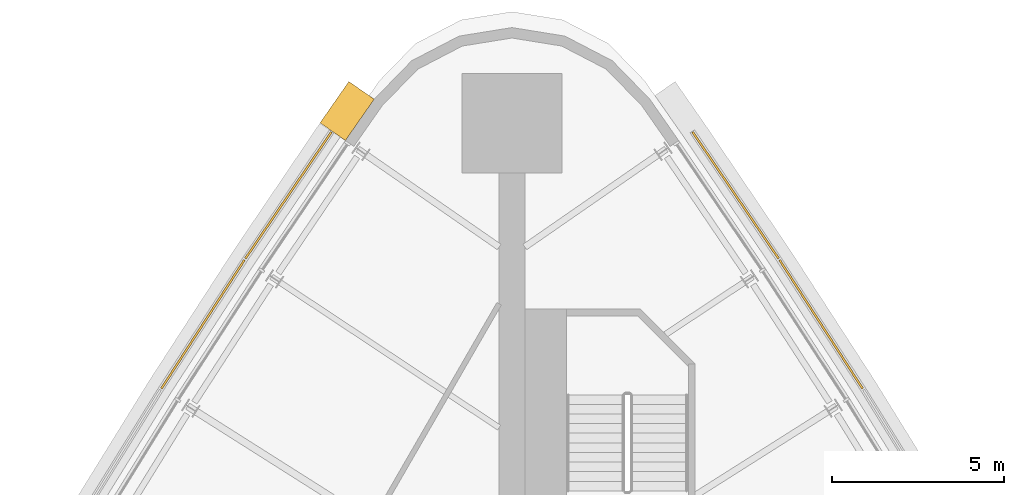
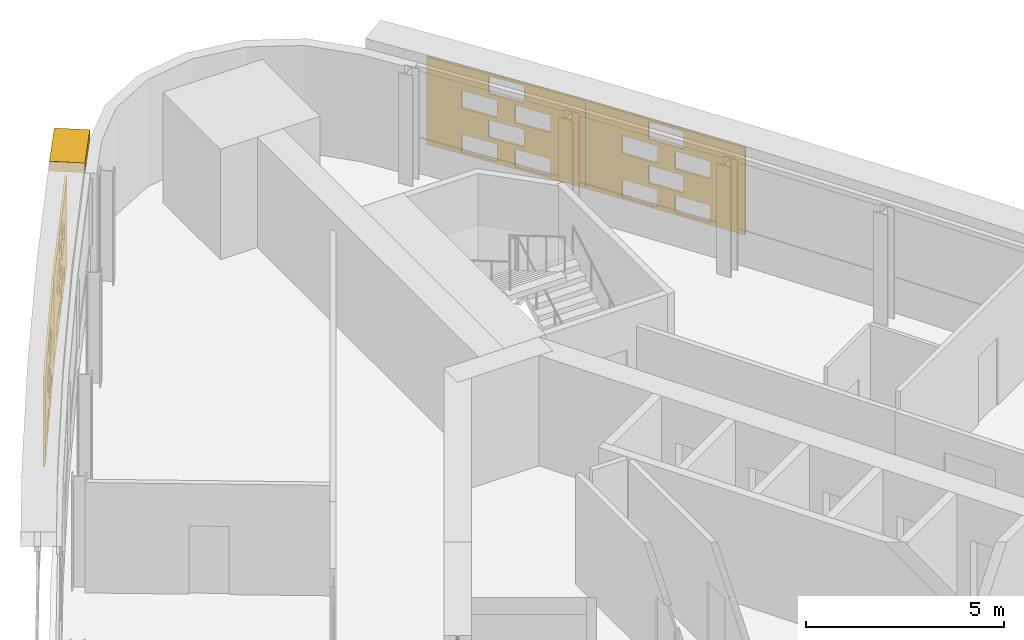
# One storey, part 13 of 13: 5 shading devices.
"""IFC4 building model written with IfcOpenShell, lengths in metres."""

from ifc_helpers import new_model, si_unit, direction, frame, origin, place, context, subcontext, project, spatial, polyline, outline, extrude, material, material_profile, profile_set, type_object, element, save


model = new_model("IFC4")

# Units and contexts
model_context = context("Model", 3, precision=1e-05, world=origin(), true_north=direction((0.0, 1.0)))
body_context = subcontext(model_context, "Body", "Model", "MODEL_VIEW")
ifc_project = project(units=[si_unit("LENGTHUNIT", "METRE"), si_unit("AREAUNIT", "SQUARE_METRE"), si_unit("VOLUMEUNIT", "CUBIC_METRE"), si_unit("PLANEANGLEUNIT", "RADIAN"), si_unit("MASSUNIT", "GRAM", prefix="KILO")], contexts=[model_context])

# Site, building, storey
site_placement = place(None, origin())
site = spatial("IfcSite", under=ifc_project, at=site_placement, CompositionType="ELEMENT")
building_placement = place(site_placement, origin())
building = spatial("IfcBuilding", under=site, at=building_placement, Name="Noor Cloister Tower", CompositionType="ELEMENT")
storey_placement = place(building_placement, frame((0.0, 0.0, 140.10009765625)))
storey = spatial("IfcBuildingStorey", under=building, at=storey_placement, Name="L35", CompositionType="ELEMENT", Elevation=140.10009765625)

# Shading devices
ifc_material_1 = material(Name="Limestone", Category="masonry")
ifc_material_profile = material_profile(ifc_material_1, outline(polyline([(-2.22998046875, -1.35009765625), (2.22998046875, -1.35009765625), (2.22998046875, 1.35009765625), (-2.22998046875, 1.35009765625), (-2.22998046875, -1.35009765625)]), holes=[polyline([(-1.25, -1.282470703125), (-0.25, -1.282470703125), (-0.25, -0.742431640625), (-1.25, -0.742431640625), (-1.25, -1.282470703125)]), polyline([(0.25, -1.282470703125), (1.25, -1.282470703125), (1.25, -0.742431640625), (0.25, -0.742431640625), (0.25, -1.282470703125)]), polyline([(-0.5, -0.607421875), (0.5, -0.607421875), (0.5, -0.0673828125), (-0.5, -0.0673828125), (-0.5, -0.607421875)]), polyline([(-1.25, 0.0673828125), (-0.25, 0.0673828125), (-0.25, 0.607421875), (-1.25, 0.607421875), (-1.25, 0.0673828125)]), polyline([(0.25, 0.0673828125), (1.25, 0.0673828125), (1.25, 0.607421875), (0.25, 0.607421875), (0.25, 0.0673828125)]), polyline([(-0.5, 0.742431640625), (0.5, 0.742431640625), (0.5, 1.282470703125), (-0.5, 1.282470703125), (-0.5, 0.742431640625)])]), Name="Woven screen 30 percent open")
ifc_profile_set = profile_set([ifc_material_profile], Name="Limestone")
shading_device_type_1 = type_object("IfcShadingDeviceType", Name="SCREEN woven limestone 30 percent open", PredefinedType="USERDEFINED", material=ifc_profile_set)
for number, where, z_axis, x_axis, name in (
    (1, (-6.48779296875, 21.952880859375, 1.849853515625), (-0.827002267371, 0.5621985857, 0.0), (-0.5621985857, -0.827002267371, 0.0), "SCREEN L35 1"),
    (2, (-8.97802734375, 18.194091796875, 1.849853515625), (-0.840116811995, 0.54240551454, 0.0), (-0.54240551454, -0.840116811995, 0.0), "SCREEN L35 2"),
    (3, (8.97802734375, 18.194091796875, 1.849853515625), (0.840116811995, 0.54240551454, 0.0), (-0.54240551454, 0.840116811995, 0.0), "SCREEN L35 7"),
    (4, (6.48779296875, 21.952880859375, 1.849853515625), (0.827002267371, 0.5621985857, 0.0), (-0.5621985857, 0.827002267371, 0.0), "SCREEN L35 8"),
):
    element("IfcShadingDevice", number, at=place(storey_placement, frame(where, z_axis=z_axis, x_axis=x_axis)), inside=storey, type_object=shading_device_type_1, Name=name, ObjectType="SCREEN", PredefinedType="USERDEFINED", context=body_context, shape_type="SweptSolid", body=[
        extrude(outline(polyline([(-2.22998046875, -1.35009765625), (2.22998046875, -1.35009765625), (2.22998046875, 1.35009765625), (-2.22998046875, 1.35009765625), (-2.22998046875, -1.35009765625)]), holes=[polyline([(-1.25, -1.282470703125), (-0.25, -1.282470703125), (-0.25, -0.742431640625), (-1.25, -0.742431640625), (-1.25, -1.282470703125)]), polyline([(0.25, -1.282470703125), (1.25, -1.282470703125), (1.25, -0.742431640625), (0.25, -0.742431640625), (0.25, -1.282470703125)]), polyline([(-0.5, -0.607421875), (0.5, -0.607421875), (0.5, -0.0673828125), (-0.5, -0.0673828125), (-0.5, -0.607421875)]), polyline([(-1.25, 0.0673828125), (-0.25, 0.0673828125), (-0.25, 0.607421875), (-1.25, 0.607421875), (-1.25, 0.0673828125)]), polyline([(0.25, 0.0673828125), (1.25, 0.0673828125), (1.25, 0.607421875), (0.25, 0.607421875), (0.25, 0.0673828125)]), polyline([(-0.5, 0.742431640625), (0.5, 0.742431640625), (0.5, 1.282470703125), (-0.5, 1.282470703125), (-0.5, 0.742431640625)])]), origin(), (0.0, 0.0, 1.0), 0.059814453125),
    ])
ifc_material_2 = material(Name="Limestone", Category="masonry")
shading_device_type_2 = type_object("IfcShadingDeviceType", Name="SUNSHADE limestone band 900", PredefinedType="USERDEFINED", material=ifc_material_2)
shading_device_placement = place(storey_placement, frame((0.0, 0.0, 3.2998046875)))
element("IfcShadingDevice", 5, at=shading_device_placement, inside=storey, type_object=shading_device_type_2, Name="SUNSHADE L35 4", ObjectType="SUNSHADE", PredefinedType="USERDEFINED", context=body_context, shape_type="SweptSolid", body=[
    extrude(outline(polyline([(-4.752197265625, 25.281982421875), (-5.591552734375, 24.078125), (-4.853271484375, 23.5634765625), (-4.013916015625, 24.76708984375), (-4.752197265625, 25.281982421875)])), origin(), (0.0, 0.0, 1.0), 0.300048828125),
])

save(model, "model.ifc")
